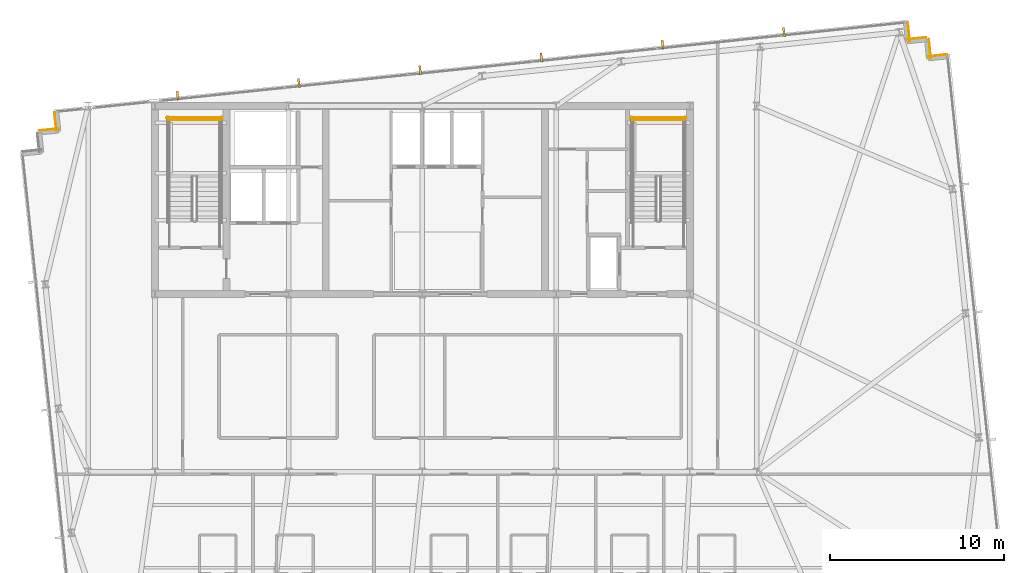
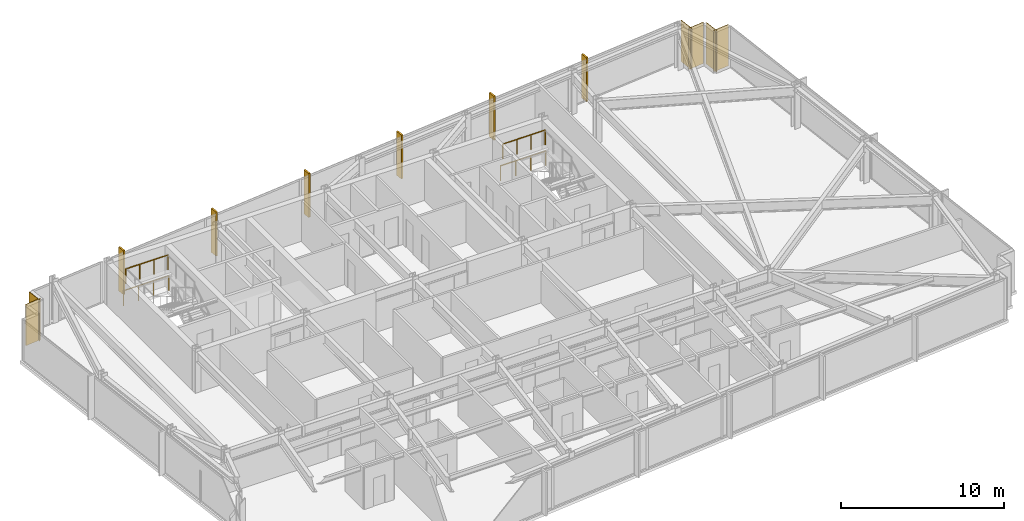
# One storey, part 33 of 33: 6 coverings, 6 shading devices, 4 railings.
"""IFC4 building model written with IfcOpenShell, lengths in metres."""

from ifc_helpers import new_model, si_unit, direction, frame, frame_2d, origin, origin_2d, place, context, subcontext, project, spatial, rectangle, circle, extrude, material, layer, layer_set, type_object, element, save


model = new_model("IFC4")

# Units and contexts
model_context = context("Model", 3, precision=1e-05, world=origin(), true_north=direction((0.0, 1.0)))
body_context = subcontext(model_context, "Body", "Model", "MODEL_VIEW")
ifc_project = project(units=[si_unit("LENGTHUNIT", "METRE"), si_unit("AREAUNIT", "SQUARE_METRE"), si_unit("VOLUMEUNIT", "CUBIC_METRE"), si_unit("PLANEANGLEUNIT", "RADIAN"), si_unit("MASSUNIT", "GRAM", prefix="KILO")], contexts=[model_context])

# Site, building, storey
site_placement = place(None, origin())
site = spatial("IfcSite", under=ifc_project, at=site_placement, CompositionType="ELEMENT")
building_placement = place(site_placement, origin())
building = spatial("IfcBuilding", under=site, at=building_placement, Name="Yelkora Congress Tower", CompositionType="ELEMENT")
storey_placement = place(building_placement, frame((0.0, 0.0, 237.5)))
storey = spatial("IfcBuildingStorey", under=building, at=storey_placement, Name="L66", CompositionType="ELEMENT", Elevation=237.5)

# Coverings
ifc_material_1 = material(Name="Anatolian bush-hammered limestone", Category="masonry")
ifc_layer_1 = layer(ifc_material_1, 0.0400390625)
ifc_layer_set_1 = layer_set([ifc_layer_1], Name="Anatolian bush-hammered limestone")
covering_type = type_object("IfcCoveringType", Name="COV-CLAD-SPANDREL-40", PredefinedType="CLADDING", material=ifc_layer_set_1)
for number, where, z_axis, x_axis, name in (
    (1, (16.406005859375, 44.7880859375, 0.0), (0.0, 0.0, 1.0), (0.994544300928, 0.104315068386, 0.0), "L66 Anatolian Limestone Cladding EW-L66-SR08"),
    (2, (17.379638671875, 44.75439453125, 0.0), (0.0, 0.0, 1.0), (-0.104534592565, 0.994521251134, 0.0), "L66 Anatolian Limestone Cladding EW-L66-SR09"),
    (3, (66.284912109375, 51.000732421875, 0.0), (0.0, 0.0, 1.0), (0.104534592565, -0.994521251134, 0.0), "L66 Anatolian Limestone Cladding EW-L66-SR11"),
):
    element("IfcCovering", number, at=place(storey_placement, frame(where, z_axis=z_axis, x_axis=x_axis)), inside=storey, type_object=covering_type, Name=name, PredefinedType="CLADDING", context=body_context, shape_type="SweptSolid", body=[
        extrude(rectangle(XDim=1.10009765625, YDim=0.0400390625, at=frame_2d((0.550048828125, 0.0))), origin(), (0.0, 0.0, 1.0), 3.080078125),
    ])
covering_placement = place(storey_placement, frame((66.25146484375, 50.02685546875, 0.0), z_axis=(0.0, 0.0, 1.0), x_axis=(0.994518825066, 0.104557671117, 0.0)))
element("IfcCovering", 4, at=covering_placement, inside=storey, type_object=covering_type, Name="L66 Anatolian Limestone Cladding EW-L66-SR12", PredefinedType="CLADDING", context=body_context, shape_type="SweptSolid", body=[
    extrude(rectangle(XDim=1.099853515625, YDim=0.0400390625, at=frame_2d((0.5498046875, 0.0))), origin(), (0.0, 0.0, 1.0), 3.080078125),
])
for number, where, z_axis, x_axis, name in (
    (5, (67.49365234375, 50.021728515625, 0.0), (0.0, 0.0, 1.0), (0.104534592565, -0.994521251134, 0.0), "L66 Anatolian Limestone Cladding EW-L66-SR13"),
    (6, (67.460205078125, 49.0478515625, 0.0), (0.0, 0.0, 1.0), (0.994521251134, 0.104534592565, 0.0), "L66 Anatolian Limestone Cladding EW-L66-SR14"),
):
    element("IfcCovering", number, at=place(storey_placement, frame(where, z_axis=z_axis, x_axis=x_axis)), inside=storey, type_object=covering_type, Name=name, PredefinedType="CLADDING", context=body_context, shape_type="SweptSolid", body=[
        extrude(rectangle(XDim=1.10009765625, YDim=0.0400390625, at=frame_2d((0.550048828125, 0.0))), origin(), (0.0, 0.0, 1.0), 3.080078125),
    ])

# Railings
ifc_material_2 = material(Name="Painted galvanised steel stair well guard with vertical infill", Category="steel")
ifc_layer_2 = layer(ifc_material_2, 0.06005859375)
ifc_layer_set_2 = layer_set([ifc_layer_2], Name="Painted galvanised steel stair well guard with vertical infill")
railing_type = type_object("IfcRailingType", Name="RAIL-STAIR-GUARD-1120", PredefinedType="GUARDRAIL", material=ifc_layer_set_2)
railing_1_placement = place(storey_placement, frame((26.820068359375, 45.419921875, 1.64990234375)))
element("IfcRailing", 7, at=railing_1_placement, inside=storey, type_object=railing_type, Name="ST-01 L66 Stair Well Guardrail 5", PredefinedType="GUARDRAIL", context=body_context, shape_type="SweptSolid", body=[
    extrude(circle(Radius=0.02392578125, at=origin_2d()), frame((0.0, 0.0, 1.09619140625), z_axis=(-1.0, 0.0, 0.0), x_axis=(0.0, -1.0, 0.0)), (0.0, 0.0, 1.0), 3.0),
    extrude(circle(Radius=0.02099609375, at=origin_2d()), origin(), (0.0, 0.0, 1.0), 1.072021484375),
    extrude(circle(Radius=0.02099609375, at=origin_2d()), frame((-1.0, 0.0, 0.0)), (0.0, 0.0, 1.0), 1.072021484375),
    extrude(circle(Radius=0.02099609375, at=origin_2d()), frame((-2.0, 0.0, 0.0)), (0.0, 0.0, 1.0), 1.072021484375),
    extrude(circle(Radius=0.02099609375, at=origin_2d()), frame((-3.0, 0.0, 0.0)), (0.0, 0.0, 1.0), 1.072021484375),
])
railing_2_placement = place(storey_placement, frame((26.919921875, 45.52001953125, 0.0)))
element("IfcRailing", 8, at=railing_2_placement, inside=storey, type_object=railing_type, Name="ST-01 L66 Stair Well Guardrail 12", PredefinedType="GUARDRAIL", context=body_context, shape_type="SweptSolid", body=[
    extrude(circle(Radius=0.02392578125, at=origin_2d()), frame((0.0, 0.0, 1.09619140625), z_axis=(-1.0, 0.0, 0.0), x_axis=(0.0, -1.0, 0.0)), (0.0, 0.0, 1.0), 3.199951171875),
    extrude(circle(Radius=0.02099609375, at=origin_2d()), origin(), (0.0, 0.0, 1.0), 1.072021484375),
    extrude(circle(Radius=0.02099609375, at=origin_2d()), frame((-1.066650390625, 0.0, 0.0)), (0.0, 0.0, 1.0), 1.072021484375),
    extrude(circle(Radius=0.02099609375, at=origin_2d()), frame((-2.13330078125, 0.0, 0.0)), (0.0, 0.0, 1.0), 1.072021484375),
    extrude(circle(Radius=0.02099609375, at=origin_2d()), frame((-3.199951171875, 0.0, 0.0)), (0.0, 0.0, 1.0), 1.072021484375),
])
railing_3_placement = place(storey_placement, frame((53.4599609375, 45.419921875, 1.64990234375)))
element("IfcRailing", 9, at=railing_3_placement, inside=storey, type_object=railing_type, Name="ST-02 L66 Stair Well Guardrail 5", PredefinedType="GUARDRAIL", context=body_context, shape_type="SweptSolid", body=[
    extrude(circle(Radius=0.02392578125, at=origin_2d()), frame((0.0, 0.0, 1.09619140625), z_axis=(-1.0, 0.0, 0.0), x_axis=(0.0, -1.0, 0.0)), (0.0, 0.0, 1.0), 3.0),
    extrude(circle(Radius=0.02099609375, at=origin_2d()), origin(), (0.0, 0.0, 1.0), 1.072021484375),
    extrude(circle(Radius=0.02099609375, at=origin_2d()), frame((-1.0, 0.0, 0.0)), (0.0, 0.0, 1.0), 1.072021484375),
    extrude(circle(Radius=0.02099609375, at=origin_2d()), frame((-2.0, 0.0, 0.0)), (0.0, 0.0, 1.0), 1.072021484375),
    extrude(circle(Radius=0.02099609375, at=origin_2d()), frame((-3.0, 0.0, 0.0)), (0.0, 0.0, 1.0), 1.072021484375),
])
railing_4_placement = place(storey_placement, frame((53.56005859375, 45.52001953125, 0.0)))
element("IfcRailing", 10, at=railing_4_placement, inside=storey, type_object=railing_type, Name="ST-02 L66 Stair Well Guardrail 12", PredefinedType="GUARDRAIL", context=body_context, shape_type="SweptSolid", body=[
    extrude(circle(Radius=0.02392578125, at=origin_2d()), frame((0.0, 0.0, 1.09619140625), z_axis=(-1.0, 0.0, 0.0), x_axis=(0.0, -1.0, 0.0)), (0.0, 0.0, 1.0), 3.199951171875),
    extrude(circle(Radius=0.02099609375, at=origin_2d()), origin(), (0.0, 0.0, 1.0), 1.072021484375),
    extrude(circle(Radius=0.02099609375, at=origin_2d()), frame((-1.066650390625, 0.0, 0.0)), (0.0, 0.0, 1.0), 1.072021484375),
    extrude(circle(Radius=0.02099609375, at=origin_2d()), frame((-2.13330078125, 0.0, 0.0)), (0.0, 0.0, 1.0), 1.072021484375),
    extrude(circle(Radius=0.02099609375, at=origin_2d()), frame((-3.199951171875, 0.0, 0.0)), (0.0, 0.0, 1.0), 1.072021484375),
])

# Shading devices
ifc_material_3 = material(Name="Champagne anodised aluminium", Category="aluminium")
ifc_layer_3 = layer(ifc_material_3, 3.300048828125)
ifc_layer_set_3 = layer_set([ifc_layer_3], Name="Champagne anodised aluminium")
shading_device_type = type_object("IfcShadingDeviceType", Name="SHD-FIN-ALU-520", PredefinedType="USERDEFINED", material=ifc_layer_set_3)
for number, where, z_axis, x_axis, name in (
    (11, (24.342529296875, 46.79345703125, -0.02978515625), (0.0, 0.0, 1.0), (0.994521895368, 0.104528463268, 0.0), "L66 Vertical Anodised Solar Fin 10-1"),
    (12, (31.30712890625, 47.525390625, -0.02978515625), (0.0, 0.0, 1.0), (0.994521895368, 0.104528463268, 0.0), "L66 Vertical Anodised Solar Fin 10-2"),
    (13, (38.271484375, 48.257568359375, -0.02978515625), (0.0, 0.0, 1.0), (0.994521895368, 0.104528463268, 0.0), "L66 Vertical Anodised Solar Fin 10-3"),
    (14, (45.236083984375, 48.989501953125, -0.02978515625), (0.0, 0.0, 1.0), (0.994521895368, 0.104528463268, 0.0), "L66 Vertical Anodised Solar Fin 10-4"),
    (15, (52.20068359375, 49.721435546875, -0.02978515625), (0.0, 0.0, 1.0), (0.994521895368, 0.104528463268, 0.0), "L66 Vertical Anodised Solar Fin 10-5"),
    (16, (59.1650390625, 50.45361328125, -0.02978515625), (0.0, 0.0, 1.0), (0.994521895368, 0.104528463268, 0.0), "L66 Vertical Anodised Solar Fin 10-6"),
):
    element("IfcShadingDevice", number, at=place(storey_placement, frame(where, z_axis=z_axis, x_axis=x_axis)), inside=storey, type_object=shading_device_type, Name=name, ObjectType="FIN", PredefinedType="USERDEFINED", context=body_context, shape_type="SweptSolid", body=[
        extrude(rectangle(XDim=0.1201171875, YDim=0.52001953125, at=origin_2d()), origin(), (0.0, 0.0, 1.0), 3.280029296875),
    ])

save(model, "model.ifc")
